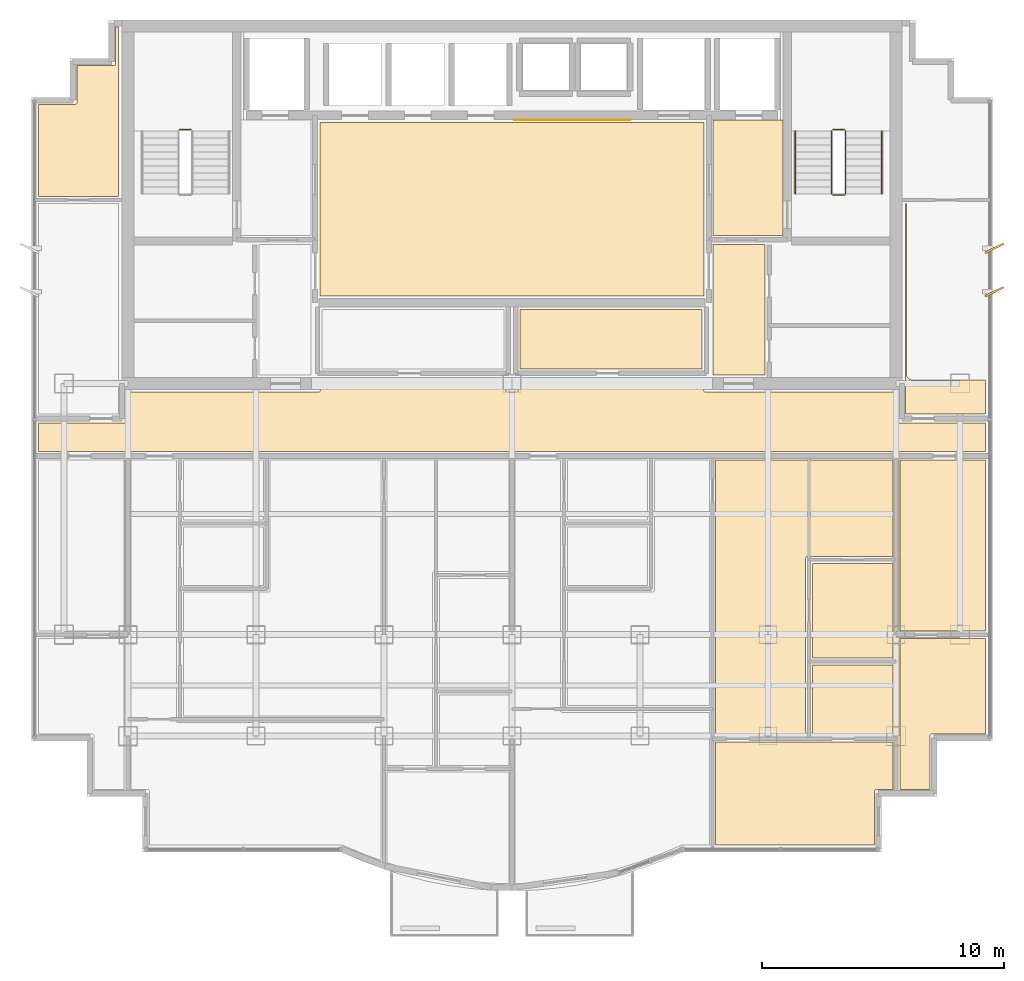
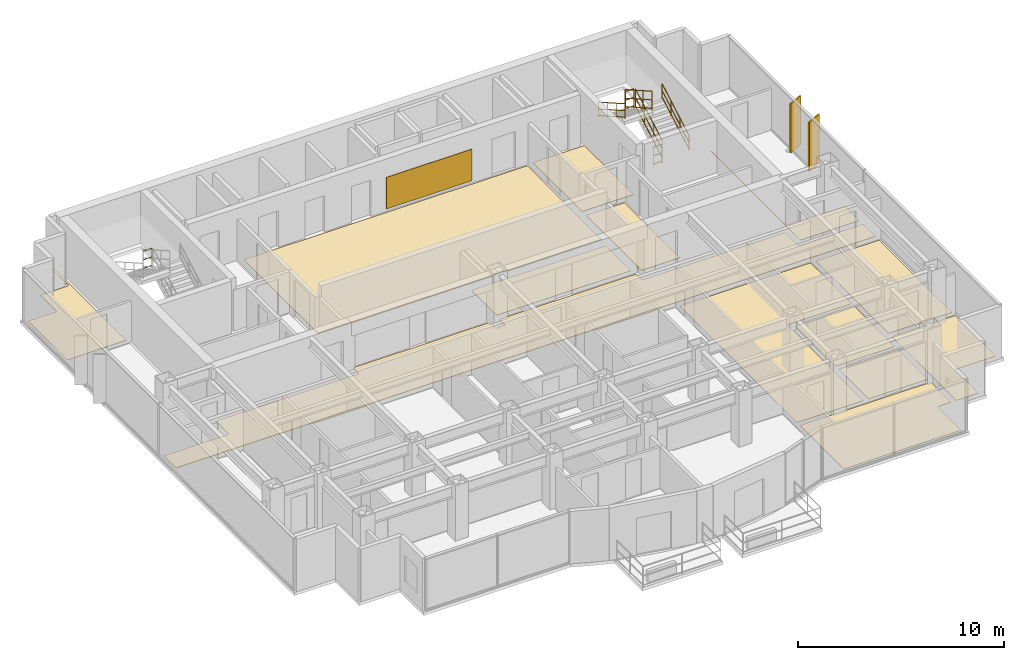
# One storey, part 12 of 12: 14 coverings, 7 railings, 2 shading devices.
"""IFC4 building model written with IfcOpenShell, lengths in metres."""

import ifcopenshell
import ifcopenshell.guid

model = None  # the IFC model being written
_history = None  # IfcOwnerHistory: only IFC2X3 demands one
_inside = {}  # id of a spatial element -> (the spatial element, [elements in it])
_under = {}  # id of a project, library or spatial element -> (it, [spatial elements below it])
_declared = {}  # id of a project -> (the project, [libraries it declares])
_typed = {}  # id of a type object -> (the type object, [elements of that type])
_made_of = {}  # id of a material, layer set ... -> (it, [elements and type objects made of it])


def new_model(schema):
    """Start an empty IFC model of exactly this schema.

    Asked for "IFC4X3", IfcOpenShell would pick the latest addendum, in which some entities
    have other attributes; the version numbers below select the first issue.
    IFC2X3 requires an IfcOwnerHistory on every rooted entity: one is made here for all.
    """
    global model, _history
    if schema == "IFC4X3":
        model = ifcopenshell.file(schema_version=(4, 3, 0, 0))
    else:
        model = ifcopenshell.file(schema=schema)
    _inside.clear()
    _under.clear()
    _declared.clear()
    _typed.clear()
    _made_of.clear()
    _history = None
    if model.schema == "IFC2X3":
        org = make("IfcOrganization", Name="unknown")
        user = make(
            "IfcPersonAndOrganization",
            ThePerson=make("IfcPerson", FamilyName="unknown"),
            TheOrganization=org,
        )
        app = make(
            "IfcApplication",
            ApplicationDeveloper=org,
            Version="unknown",
            ApplicationFullName="unknown",
            ApplicationIdentifier="unknown",
        )
        _history = make(
            "IfcOwnerHistory",
            OwningUser=user,
            OwningApplication=app,
            ChangeAction="ADDED",
            CreationDate=0,
        )
    return model


def make(cls, **values):
    """One entity of the class cls with the attributes given. An attribute that is None is left unset."""
    return model.create_entity(
        cls, **{name: value for name, value in values.items() if value is not None}
    )


def rooted(cls, **values):
    """An entity with a GlobalId (a new one), such as an element, a storey or a relation."""
    return make(cls, GlobalId=ifcopenshell.guid.new(), OwnerHistory=_history, **values)


def si_unit(unit_type, name, prefix=None):
    """IfcSIUnit, for example si_unit("LENGTHUNIT", "METRE", prefix="MILLI")."""
    return make("IfcSIUnit", UnitType=unit_type, Prefix=prefix, Name=name)


def assignment(units):
    """IfcUnitAssignment: the units of a project."""
    return None if units is None else make("IfcUnitAssignment", Units=units)


def point(xyz):
    """IfcCartesianPoint."""
    return None if xyz is None else make("IfcCartesianPoint", Coordinates=xyz)


def direction(xyz):
    """IfcDirection."""
    return None if xyz is None else make("IfcDirection", DirectionRatios=xyz)


def frame(location, z_axis=None, x_axis=None):
    """IfcAxis2Placement3D, a coordinate frame: its origin and axes. An axis left out is left unset."""
    return make(
        "IfcAxis2Placement3D",
        Location=point(location),
        Axis=direction(z_axis),
        RefDirection=direction(x_axis),
    )


def frame_2d(location, x_axis=None):
    """IfcAxis2Placement2D, a coordinate frame in the plane: its origin and x axis."""
    return make(
        "IfcAxis2Placement2D", Location=point(location), RefDirection=direction(x_axis)
    )


def origin():
    """The frame at (0, 0, 0) with its axes left unset."""
    return frame((0.0, 0.0, 0.0))


def origin_2d():
    """The frame at (0, 0) in the plane with its x axis left unset."""
    return frame_2d((0.0, 0.0))


def place(relative_to, where):
    """IfcLocalPlacement: puts the frame where relative to a parent placement (None: the world)."""
    return make(
        "IfcLocalPlacement", PlacementRelTo=relative_to, RelativePlacement=where
    )


def context(
    kind, dimensions, precision=None, world=None, true_north=None, identifier=None
):
    """IfcGeometricRepresentationContext, for example the 3D "Model" context."""
    return make(
        "IfcGeometricRepresentationContext",
        ContextIdentifier=identifier,
        ContextType=kind,
        CoordinateSpaceDimension=dimensions,
        Precision=precision,
        WorldCoordinateSystem=world,
        TrueNorth=true_north,
    )


def subcontext(parent, identifier, kind, view, scale=None):
    """IfcGeometricRepresentationSubContext, for example "Body" below "Model"."""
    return make(
        "IfcGeometricRepresentationSubContext",
        ContextIdentifier=identifier,
        ContextType=kind,
        ParentContext=parent,
        TargetScale=scale,
        TargetView=view,
    )


def project(units=None, contexts=None):
    """IfcProject with its units and contexts."""
    return rooted(
        "IfcProject",
        Name="project",
        RepresentationContexts=contexts,
        UnitsInContext=assignment(units),
    )


def spatial(cls, under=None, at=None, **own):
    """A site, building, storey or space (cls), placed at a placement, below another one or the project."""
    s = rooted(cls, ObjectPlacement=at, **own)
    if under is not None:
        _under.setdefault(under.id(), (under, []))[1].append(s)
    return s


def polyline(points):
    """IfcPolyline through the points."""
    return make("IfcPolyline", Points=[point(p) for p in points])


def profile(cls, at=None, kind="AREA", **sizes):
    """A parametric profile (cls). Its sizes go by their IFC names, for example OverallWidth=200.0."""
    return make(cls, ProfileType=kind, Position=at, **sizes)


def rectangle(**sizes):
    """IfcRectangleProfileDef."""
    return profile("IfcRectangleProfileDef", **sizes)


def circle(**sizes):
    """IfcCircleProfileDef."""
    return profile("IfcCircleProfileDef", **sizes)


def outline(outer, holes=None, kind="AREA"):
    """IfcArbitraryClosedProfileDef: a profile drawn as a closed curve; with holes, ...WithVoids."""
    if holes is None:
        return make("IfcArbitraryClosedProfileDef", ProfileType=kind, OuterCurve=outer)
    return make(
        "IfcArbitraryProfileDefWithVoids",
        ProfileType=kind,
        OuterCurve=outer,
        InnerCurves=holes,
    )


def extrude(swept, where, along, depth):
    """IfcExtrudedAreaSolid: the profile swept, set in the frame where, extruded along a direction by depth."""
    return make(
        "IfcExtrudedAreaSolid",
        SweptArea=swept,
        Position=where,
        ExtrudedDirection=direction(along),
        Depth=depth,
    )


def shape(context_of_items, identifier, shape_type, items):
    """IfcShapeRepresentation: the items that make up one representation, for example the "Body"."""
    return make(
        "IfcShapeRepresentation",
        ContextOfItems=context_of_items,
        RepresentationIdentifier=identifier,
        RepresentationType=shape_type,
        Items=items,
    )


def source(mapping_origin, context_of_items, identifier, shape_type, items):
    """IfcRepresentationMap: a shape defined once, which mapped items show again and again."""
    return make(
        "IfcRepresentationMap",
        MappingOrigin=mapping_origin,
        MappedRepresentation=shape(context_of_items, identifier, shape_type, items),
    )


def transform(
    local_origin,
    x_axis=None,
    y_axis=None,
    z_axis=None,
    scale=None,
    scale2=None,
    scale3=None,
    uniform=True,
):
    """IfcCartesianTransformationOperator3D, or its non-uniform kind. x_axis, y_axis, z_axis: its Axis1, 2, 3."""
    if uniform:
        return make(
            "IfcCartesianTransformationOperator3D",
            Axis1=direction(x_axis),
            Axis2=direction(y_axis),
            LocalOrigin=point(local_origin),
            Scale=scale,
            Axis3=direction(z_axis),
        )
    return make(
        "IfcCartesianTransformationOperator3DnonUniform",
        Axis1=direction(x_axis),
        Axis2=direction(y_axis),
        LocalOrigin=point(local_origin),
        Scale=scale,
        Axis3=direction(z_axis),
        Scale2=scale2,
        Scale3=scale3,
    )


def mapped(mapping_source, mapping_target):
    """IfcMappedItem: shows the shape of a source again, moved by a transform."""
    return make(
        "IfcMappedItem", MappingSource=mapping_source, MappingTarget=mapping_target
    )


def material(Name=None, Category=None):
    """IfcMaterial."""
    return make("IfcMaterial", Name=Name, Category=Category)


def layer(
    of_material, thickness, ventilated=None, Name=None, Category=None, Priority=None
):
    """IfcMaterialLayer: one layer of a wall or slab, of a material (None: an air gap)."""
    return make(
        "IfcMaterialLayer",
        Material=of_material,
        LayerThickness=thickness,
        IsVentilated=ventilated,
        Name=Name,
        Category=Category,
        Priority=Priority,
    )


def layer_set(layers, Name=None):
    """IfcMaterialLayerSet."""
    return make("IfcMaterialLayerSet", MaterialLayers=layers, LayerSetName=Name)


def made_of(thing, what):
    """Note that an element or type object is made of a material, layer set ...; save() writes the relation."""
    if what is not None:
        _made_of.setdefault(what.id(), (what, []))[1].append(thing)
    return thing


def type_object(cls, material=None, **own):
    """A type object (cls), such as IfcWallType, which elements share."""
    return made_of(rooted(cls, **own), material)


def element(
    cls,
    number,
    at=None,
    inside=None,
    cuts=None,
    type_object=None,
    material=None,
    context=None,
    identifier="Body",
    shape_type=None,
    held_by="IfcProductDefinitionShape",
    body=None,
    shapes=None,
    **own,
):
    """One element of the class cls, such as IfcWall. Its Tag is "e" and its number.

    at: its placement. inside: the storey or other place that contains it. cuts: it is an
    opening in that element (IfcRelVoidsElement). A single representation is given by context,
    identifier, shape_type and body (its items); several are given by shapes. held_by: the class
    of the entity that holds the representations. save() writes the other relations.
    """
    e = rooted(cls, Tag="e%d" % number, ObjectPlacement=at, **own)
    if body is not None:
        shapes = [shape(context, identifier, shape_type, body)]
    if shapes is not None:
        e.Representation = make(held_by, Representations=shapes)
    if inside is not None:
        _inside.setdefault(inside.id(), (inside, []))[1].append(e)
    if cuts is not None:
        rooted(
            "IfcRelVoidsElement", RelatingBuildingElement=cuts, RelatedOpeningElement=e
        )
    if type_object is not None:
        _typed.setdefault(type_object.id(), (type_object, []))[1].append(e)
    return made_of(e, material)


def aggregate(whole, parts):
    """IfcRelAggregates: a whole, such as a stair, and the parts it consists of."""
    return rooted("IfcRelAggregates", RelatingObject=whole, RelatedObjects=parts)


def save(model, path):
    """Write the relations noted so far, then the file.

    IfcRelAggregates (storeys below a building ...), IfcRelContainedInSpatialStructure (elements
    in a storey), IfcRelDefinesByType, IfcRelAssociatesMaterial and IfcRelDeclares: one each for
    every whole, place, type object, material and project.
    """
    for whole, parts in _under.values():
        aggregate(whole, parts)
    for where, things in _inside.values():
        rooted(
            "IfcRelContainedInSpatialStructure",
            RelatedElements=things,
            RelatingStructure=where,
        )
    for kind, things in _typed.values():
        rooted("IfcRelDefinesByType", RelatedObjects=things, RelatingType=kind)
    for what, things in _made_of.values():
        rooted("IfcRelAssociatesMaterial", RelatedObjects=things, RelatingMaterial=what)
    for by, libraries in _declared.values():
        rooted("IfcRelDeclares", RelatingContext=by, RelatedDefinitions=libraries)
    model.write(path)


model = new_model("IFC4")

# Units and contexts
model_context = context("Model", 3, precision=1e-05, world=origin(), true_north=direction((0.0, 1.0)))
body_context = subcontext(model_context, "Body", "Model", "MODEL_VIEW")
ifc_project = project(units=[si_unit("LENGTHUNIT", "METRE"), si_unit("AREAUNIT", "SQUARE_METRE"), si_unit("VOLUMEUNIT", "CUBIC_METRE"), si_unit("PLANEANGLEUNIT", "RADIAN"), si_unit("MASSUNIT", "GRAM", prefix="KILO")], contexts=[model_context])

# Site, building, storey
site_placement = place(None, origin())
site = spatial("IfcSite", under=ifc_project, at=site_placement, CompositionType="ELEMENT")
building_placement = place(site_placement, origin())
building = spatial("IfcBuilding", under=site, at=building_placement, Name="Qianlan Lanfeng Residences", CompositionType="ELEMENT")
storey_placement = place(building_placement, frame((0.0, 0.0, 219.800048828125)))
storey = spatial("IfcBuildingStorey", under=building, at=storey_placement, Name="L60", CompositionType="ELEMENT", Elevation=219.800048828125)

# Coverings
ifc_material_1 = material(Name="Anodised Bronze Feature Wall Cladding")
ifc_layer_1 = layer(ifc_material_1, 0.02490234375)
ifc_layer_set_1 = layer_set([ifc_layer_1], Name="Anodised Bronze Feature Wall Cladding")
covering_type_1 = type_object("IfcCoveringType", Name="CLD-BRZ-25", PredefinedType="CLADDING", material=ifc_layer_set_1)
covering_1_placement = place(storey_placement, frame((0.0, 0.0, 0.14990234375)))
element("IfcCovering", 1, at=covering_1_placement, inside=storey, type_object=covering_type_1, Name="L60 Lift Lobby Bronze Feature Cladding", PredefinedType="CLADDING", context=body_context, shape_type="SweptSolid", body=[
    extrude(outline(polyline([(26.60009765625, 36.10009765625), (31.39990234375, 36.10009765625), (31.39990234375, 36.125), (26.60009765625, 36.125), (26.60009765625, 36.10009765625)])), origin(), (0.0, 0.0, 1.0), 1.880126953125),
])
ifc_material_2 = material(Name="Honed Taitung Granite Stone Flooring", Category="masonry")
ifc_layer_2 = layer(ifc_material_2, 0.030029296875)
ifc_layer_set_2 = layer_set([ifc_layer_2], Name="Honed Taitung Granite Stone Flooring")
covering_type_2 = type_object("IfcCoveringType", Name="FLR-STN-30", PredefinedType="FLOORING", material=ifc_layer_set_2)
covering_2_placement = place(storey_placement, origin())
element("IfcCovering", 2, at=covering_2_placement, inside=storey, type_object=covering_type_2, Name="L60 Firefighting Lift Lobby Floor Finish", PredefinedType="FLOORING", context=body_context, shape_type="SweptSolid", body=[
    extrude(outline(polyline([(34.820068359375, 31.320068359375), (37.7099609375, 31.320068359375), (37.7099609375, 36.110107421875), (34.820068359375, 36.110107421875), (34.820068359375, 31.320068359375)])), origin(), (0.0, 0.0, 1.0), 0.030029296875),
])
covering_3_placement = place(storey_placement, origin())
element("IfcCovering", 3, at=covering_3_placement, inside=storey, type_object=covering_type_2, Name="L60 Lift Lobby Floor Finish", PredefinedType="FLOORING", context=body_context, shape_type="SweptSolid", body=[
    extrude(outline(polyline([(18.550048828125, 28.820068359375), (34.449951171875, 28.820068359375), (34.449951171875, 36.010009765625), (18.550048828125, 36.010009765625), (18.550048828125, 28.820068359375)])), origin(), (0.0, 0.0, 1.0), 0.030029296875),
])
covering_4_placement = place(storey_placement, origin())
element("IfcCovering", 4, at=covering_4_placement, inside=storey, type_object=covering_type_2, Name="L60 Residential Corridor Floor Finish", PredefinedType="FLOORING", context=body_context, shape_type="SweptSolid", body=[
    extrude(outline(polyline([(6.889892578125, 22.3798828125), (46.110107421875, 22.3798828125), (46.110107421875, 23.570068359375), (42.5400390625, 23.570068359375), (42.532958984375, 23.570068359375), (42.52587890625, 23.571044921875), (42.52001953125, 23.572998046875), (42.512939453125, 23.574951171875), (42.507080078125, 23.577880859375), (42.5009765625, 23.58203125), (42.49609375, 23.5859375), (42.490966796875, 23.591064453125), (42.486083984375, 23.595947265625), (42.48193359375, 23.60107421875), (42.47802734375, 23.60693359375), (42.47509765625, 23.613037109375), (42.472900390625, 23.6201171875), (42.470947265625, 23.6259765625), (42.469970703125, 23.633056640625), (42.469970703125, 23.639892578125), (42.469970703125, 24.85009765625), (34.5, 24.85009765625), (34.492919921875, 24.85009765625), (34.486083984375, 24.85107421875), (34.47998046875, 24.85302734375), (34.472900390625, 24.85498046875), (34.467041015625, 24.85791015625), (34.4609375, 24.862060546875), (34.4560546875, 24.865966796875), (34.450927734375, 24.87109375), (34.446044921875, 24.8759765625), (34.44189453125, 24.881103515625), (34.43798828125, 24.886962890625), (34.43505859375, 24.89306640625), (34.43310546875, 24.89990234375), (34.430908203125, 24.906005859375), (34.429931640625, 24.9130859375), (34.429931640625, 24.919921875), (34.429931640625, 25.429931640625), (26.77001953125, 25.429931640625), (26.77001953125, 24.919921875), (26.77001953125, 24.9130859375), (26.76904296875, 24.906005859375), (26.76708984375, 24.89990234375), (26.764892578125, 24.89306640625), (26.761962890625, 24.886962890625), (26.758056640625, 24.881103515625), (26.75390625, 24.8759765625), (26.7490234375, 24.87109375), (26.743896484375, 24.865966796875), (26.739013671875, 24.862060546875), (26.73291015625, 24.85791015625), (26.72705078125, 24.85498046875), (26.719970703125, 24.85302734375), (26.714111328125, 24.85107421875), (26.70703125, 24.85009765625), (26.699951171875, 24.85009765625), (26.300048828125, 24.85009765625), (26.29296875, 24.85009765625), (26.285888671875, 24.85107421875), (26.280029296875, 24.85302734375), (26.27294921875, 24.85498046875), (26.26708984375, 24.85791015625), (26.260986328125, 24.862060546875), (26.256103515625, 24.865966796875), (26.2509765625, 24.87109375), (26.24609375, 24.8759765625), (26.241943359375, 24.881103515625), (26.238037109375, 24.886962890625), (26.235107421875, 24.89306640625), (26.23291015625, 24.89990234375), (26.23095703125, 24.906005859375), (26.22998046875, 24.9130859375), (26.22998046875, 24.919921875), (26.22998046875, 25.429931640625), (18.570068359375, 25.429931640625), (18.570068359375, 24.919921875), (18.570068359375, 24.9130859375), (18.569091796875, 24.906005859375), (18.56689453125, 24.89990234375), (18.56494140625, 24.89306640625), (18.56201171875, 24.886962890625), (18.55810546875, 24.881103515625), (18.553955078125, 24.8759765625), (18.549072265625, 24.87109375), (18.5439453125, 24.865966796875), (18.5390625, 24.862060546875), (18.532958984375, 24.85791015625), (18.527099609375, 24.85498046875), (18.52001953125, 24.85302734375), (18.513916015625, 24.85107421875), (18.507080078125, 24.85009765625), (18.5, 24.85009765625), (10.530029296875, 24.85009765625), (10.530029296875, 23.639892578125), (10.530029296875, 23.633056640625), (10.529052734375, 23.6259765625), (10.527099609375, 23.6201171875), (10.52490234375, 23.613037109375), (10.52197265625, 23.60693359375), (10.51806640625, 23.60107421875), (10.513916015625, 23.595947265625), (10.509033203125, 23.591064453125), (10.50390625, 23.5859375), (10.4990234375, 23.58203125), (10.492919921875, 23.577880859375), (10.487060546875, 23.574951171875), (10.47998046875, 23.572998046875), (10.47412109375, 23.571044921875), (10.467041015625, 23.570068359375), (10.4599609375, 23.570068359375), (6.889892578125, 23.570068359375), (6.889892578125, 22.3798828125)])), origin(), (0.0, 0.0, 1.0), 0.030029296875),
])
covering_5_placement = place(storey_placement, origin())
element("IfcCovering", 5, at=covering_5_placement, inside=storey, type_object=covering_type_2, Name="L60 Lift Lobby Floor Finish", PredefinedType="FLOORING", context=body_context, shape_type="SweptSolid", body=[
    extrude(outline(polyline([(34.830078125, 25.56005859375), (36.969970703125, 25.56005859375), (36.969970703125, 30.949951171875), (34.830078125, 30.949951171875), (34.830078125, 25.56005859375)])), origin(), (0.0, 0.0, 1.0), 0.030029296875),
])
ifc_material_3 = material(Name="Slip-Resistant Porcelain Tile Flooring")
ifc_layer_3 = layer(ifc_material_3, 0.02001953125)
ifc_layer_set_3 = layer_set([ifc_layer_3], Name="Slip-Resistant Porcelain Tile Flooring")
covering_type_3 = type_object("IfcCoveringType", Name="FLR-TIL-20", PredefinedType="FLOORING", material=ifc_layer_set_3)
covering_6_placement = place(storey_placement, origin())
element("IfcCovering", 6, at=covering_6_placement, inside=storey, type_object=covering_type_3, Name="L60 En-Suite Bathroom Floor Finish", PredefinedType="FLOORING", context=body_context, shape_type="SweptSolid", body=[
    extrude(outline(polyline([(38.93994140625, 10.634033203125), (42.27001953125, 10.634033203125), (42.27001953125, 13.553955078125), (38.93994140625, 13.553955078125), (38.93994140625, 10.634033203125)])), origin(), (0.0, 0.0, 1.0), 0.02001953125),
])
ifc_material_4 = material(Name="Engineered Smoked Oak Timber Flooring", Category="wood")
ifc_layer_4 = layer(ifc_material_4, 0.02197265625)
ifc_layer_set_4 = layer_set([ifc_layer_4], Name="Engineered Smoked Oak Timber Flooring")
covering_type_4 = type_object("IfcCoveringType", Name="FLR-TIM-22", PredefinedType="FLOORING", material=ifc_layer_set_4)
covering_7_placement = place(storey_placement, origin())
element("IfcCovering", 7, at=covering_7_placement, inside=storey, type_object=covering_type_4, Name="L60 Harbour Viewing Lounge Floor Finish", PredefinedType="FLOORING", context=body_context, shape_type="SweptSolid", body=[
    extrude(outline(polyline([(26.830078125, 25.800048828125), (34.3701171875, 25.800048828125), (34.3701171875, 28.2548828125), (26.830078125, 28.2548828125), (26.830078125, 25.800048828125)])), origin(), (0.0, 0.0, 1.0), 0.02197265625),
])
covering_8_placement = place(storey_placement, origin())
element("IfcCovering", 8, at=covering_8_placement, inside=storey, type_object=covering_type_4, Name="L60 Private Study Floor Finish", PredefinedType="FLOORING", context=body_context, shape_type="SweptSolid", body=[
    extrude(outline(polyline([(38.93994140625, 13.833984375), (42.27001953125, 13.833984375), (42.27001953125, 17.757080078125), (38.93994140625, 17.757080078125), (38.93994140625, 13.833984375)])), origin(), (0.0, 0.0, 1.0), 0.02197265625),
])
covering_9_placement = place(storey_placement, origin())
element("IfcCovering", 9, at=covering_9_placement, inside=storey, type_object=covering_type_4, Name="L60 Villa Family Sitting Room Floor Finish", PredefinedType="FLOORING", context=body_context, shape_type="SweptSolid", body=[
    extrude(outline(polyline([(34.929931640625, 10.634033203125), (38.659912109375, 10.634033203125), (38.659912109375, 17.967041015625), (38.659912109375, 17.97412109375), (38.660888671875, 17.98095703125), (38.6630859375, 17.987060546875), (38.6650390625, 17.993896484375), (38.66796875, 18.0), (38.672119140625, 18.006103515625), (38.676025390625, 18.010986328125), (38.680908203125, 18.01611328125), (38.68603515625, 18.02099609375), (38.69091796875, 18.02490234375), (38.697021484375, 18.029052734375), (38.702880859375, 18.031982421875), (38.7099609375, 18.033935546875), (38.716064453125, 18.035888671875), (38.722900390625, 18.037109375), (38.72998046875, 18.037109375), (42.27001953125, 18.037109375), (42.27001953125, 22.030029296875), (34.929931640625, 22.030029296875), (34.929931640625, 10.634033203125)])), origin(), (0.0, 0.0, 1.0), 0.02197265625),
])
covering_10_placement = place(storey_placement, origin())
element("IfcCovering", 10, at=covering_10_placement, inside=storey, type_object=covering_type_4, Name="L60 Master Bedroom Floor Finish", PredefinedType="FLOORING", context=body_context, shape_type="SweptSolid", body=[
    extrude(outline(polyline([(34.929931640625, 10.35400390625), (34.929931640625, 6.090087890625), (41.510009765625, 6.090087890625), (41.510009765625, 8.320068359375), (41.510009765625, 8.326904296875), (41.510986328125, 8.333984375), (41.512939453125, 8.340087890625), (41.514892578125, 8.346923828125), (41.51806640625, 8.35302734375), (41.52197265625, 8.35888671875), (41.52587890625, 8.364013671875), (41.531005859375, 8.368896484375), (41.535888671875, 8.3740234375), (41.541015625, 8.3779296875), (41.547119140625, 8.382080078125), (41.552978515625, 8.385009765625), (41.56005859375, 8.386962890625), (41.56591796875, 8.388916015625), (41.572998046875, 8.389892578125), (41.580078125, 8.389892578125), (42.27001953125, 8.389892578125), (42.27001953125, 10.35400390625), (34.929931640625, 10.35400390625)])), origin(), (0.0, 0.0, 1.0), 0.02197265625),
])
covering_11_placement = place(storey_placement, origin())
element("IfcCovering", 11, at=covering_11_placement, inside=storey, type_object=covering_type_4, Name="L60 Sunroom Floor Finish", PredefinedType="FLOORING", context=body_context, shape_type="SweptSolid", body=[
    extrude(outline(polyline([(46.110107421875, 14.64990234375), (42.56005859375, 14.64990234375), (42.56005859375, 8.389892578125), (43.81005859375, 8.389892578125), (43.81005859375, 10.6201171875), (43.81005859375, 10.626953125), (43.81103515625, 10.634033203125), (43.81298828125, 10.639892578125), (43.81494140625, 10.64697265625), (43.818115234375, 10.653076171875), (43.822021484375, 10.658935546875), (43.825927734375, 10.6640625), (43.8310546875, 10.6689453125), (43.8359375, 10.674072265625), (43.841064453125, 10.677978515625), (43.846923828125, 10.681884765625), (43.85302734375, 10.68505859375), (43.860107421875, 10.68701171875), (43.865966796875, 10.68896484375), (43.873046875, 10.68994140625), (43.8798828125, 10.68994140625), (46.110107421875, 10.68994140625), (46.110107421875, 14.64990234375)])), origin(), (0.0, 0.0, 1.0), 0.02197265625),
])
covering_12_placement = place(storey_placement, origin())
element("IfcCovering", 12, at=covering_12_placement, inside=storey, type_object=covering_type_4, Name="L60 Private Study Floor Finish", PredefinedType="FLOORING", context=body_context, shape_type="SweptSolid", body=[
    extrude(outline(polyline([(46.110107421875, 22.030029296875), (42.56005859375, 22.030029296875), (42.56005859375, 14.949951171875), (46.110107421875, 14.949951171875), (46.110107421875, 22.030029296875)])), origin(), (0.0, 0.0, 1.0), 0.02197265625),
])
covering_13_placement = place(storey_placement, origin())
element("IfcCovering", 13, at=covering_13_placement, inside=storey, type_object=covering_type_4, Name="L60 Resident Lounge Floor Finish", PredefinedType="FLOORING", context=body_context, shape_type="SweptSolid", body=[
    extrude(outline(polyline([(6.889892578125, 32.949951171875), (10.199951171875, 32.949951171875), (10.199951171875, 39.9599609375), (10.090087890625, 39.9599609375), (10.090087890625, 38.429931640625), (10.090087890625, 38.423095703125), (10.089111328125, 38.416015625), (10.0869140625, 38.409912109375), (10.0849609375, 38.403076171875), (10.08203125, 38.39697265625), (10.077880859375, 38.39111328125), (10.073974609375, 38.385986328125), (10.069091796875, 38.381103515625), (10.06396484375, 38.3759765625), (10.05908203125, 38.3720703125), (10.052978515625, 38.367919921875), (10.047119140625, 38.364990234375), (10.0400390625, 38.363037109375), (10.033935546875, 38.361083984375), (10.027099609375, 38.360107421875), (10.02001953125, 38.360107421875), (8.489990234375, 38.360107421875), (8.489990234375, 36.830078125), (8.489990234375, 36.822998046875), (8.489013671875, 36.81591796875), (8.487060546875, 36.81005859375), (8.485107421875, 36.802978515625), (8.48193359375, 36.797119140625), (8.47802734375, 36.791015625), (8.47412109375, 36.785888671875), (8.468994140625, 36.781005859375), (8.464111328125, 36.77587890625), (8.458984375, 36.77197265625), (8.452880859375, 36.76806640625), (8.447021484375, 36.764892578125), (8.43994140625, 36.762939453125), (8.43408203125, 36.760986328125), (8.427001953125, 36.760009765625), (8.419921875, 36.760009765625), (6.889892578125, 36.760009765625), (6.889892578125, 32.949951171875)])), origin(), (0.0, 0.0, 1.0), 0.02197265625),
])
covering_14_placement = place(storey_placement, origin())
element("IfcCovering", 14, at=covering_14_placement, inside=storey, type_object=covering_type_4, Name="L60 Tea Salon Floor Finish", PredefinedType="FLOORING", context=body_context, shape_type="SweptSolid", body=[
    extrude(outline(polyline([(46.110107421875, 25.35009765625), (43.080078125, 25.35009765625), (43.054931640625, 25.35107421875), (43.031005859375, 25.35498046875), (43.007080078125, 25.361083984375), (42.98388671875, 25.368896484375), (42.9619140625, 25.3798828125), (42.94091796875, 25.39208984375), (42.9208984375, 25.406982421875), (42.903076171875, 25.423095703125), (42.886962890625, 25.44091796875), (42.8720703125, 25.4609375), (42.860107421875, 25.48193359375), (42.84912109375, 25.50390625), (42.841064453125, 25.527099609375), (42.8349609375, 25.551025390625), (42.8310546875, 25.574951171875), (42.830078125, 25.60009765625), (42.830078125, 32.64990234375), (42.800048828125, 32.64990234375), (42.800048828125, 23.929931640625), (46.110107421875, 23.929931640625), (46.110107421875, 25.35009765625)])), origin(), (0.0, 0.0, 1.0), 0.02197265625),
])

# Railings
ifc_material_5 = material(Name="Painted Galvanised Steel Guardrail", Category="steel")
railing_type_1 = type_object("IfcRailingType", Name="GR-ST-1120", PredefinedType="GUARDRAIL", material=ifc_material_5)
railing_1_placement = place(storey_placement, frame((13.219970703125, 35.7099609375, 1.64990234375)))
element("IfcRailing", 15, at=railing_1_placement, inside=storey, type_object=railing_type_1, Name="L60 ST-1 stair guard 2", PredefinedType="GUARDRAIL", context=body_context, shape_type="SweptSolid", body=[
    extrude(circle(Radius=0.02392578125, at=origin_2d()), frame((0.0, 0.0, 0.083984375), z_axis=(-1.0, 0.0, 0.0), x_axis=(0.0, -1.0, 0.0)), (0.0, 0.0, 1.0), 0.47998046875),
    extrude(circle(Radius=0.02392578125, at=origin_2d()), frame((0.0, 0.0, 0.58251953125), z_axis=(-1.0, 0.0, 0.0), x_axis=(0.0, -1.0, 0.0)), (0.0, 0.0, 1.0), 0.47998046875),
    extrude(circle(Radius=0.02392578125, at=origin_2d()), frame((0.0, 0.0, 1.09619140625), z_axis=(-1.0, 0.0, 0.0), x_axis=(0.0, -1.0, 0.0)), (0.0, 0.0, 1.0), 0.47998046875),
    extrude(circle(Radius=0.02099609375, at=origin_2d()), origin(), (0.0, 0.0, 1.0), 1.072021484375),
    extrude(circle(Radius=0.02099609375, at=origin_2d()), frame((-0.47998046875, 0.0, 0.0)), (0.0, 0.0, 1.0), 1.072021484375),
])
railing_2_placement = place(storey_placement, frame((40.31005859375, 33.050048828125, 0.1650390625)))
element("IfcRailing", 16, at=railing_2_placement, inside=storey, type_object=railing_type_1, Name="L60 ST-2 stair guard 1", PredefinedType="GUARDRAIL", context=body_context, shape_type="SweptSolid", body=[
    extrude(circle(Radius=0.02392578125, at=origin_2d()), frame((0.0, 0.0, 0.083984375), z_axis=(0.0, 0.869172267526, 0.494509422927), x_axis=(-1.0, 0.0, 0.0)), (0.0, 0.0, 1.0), 3.002685546875),
    extrude(circle(Radius=0.02392578125, at=origin_2d()), frame((0.0, 0.0, 0.58251953125), z_axis=(0.0, 0.869172267526, 0.494509422927), x_axis=(-1.0, 0.0, 0.0)), (0.0, 0.0, 1.0), 3.002685546875),
    extrude(circle(Radius=0.02392578125, at=origin_2d()), frame((0.0, 0.0, 1.09619140625), z_axis=(0.0, 0.869172267526, 0.494509422927), x_axis=(-1.0, 0.0, 0.0)), (0.0, 0.0, 1.0), 3.002685546875),
    extrude(circle(Radius=0.02099609375, at=origin_2d()), origin(), (0.0, 0.0, 1.0), 1.072021484375),
    extrude(circle(Radius=0.02099609375, at=origin_2d()), frame((0.0, 0.869873046875, 0.494873046875)), (0.0, 0.0, 1.0), 1.072021484375),
    extrude(circle(Radius=0.02099609375, at=origin_2d()), frame((0.0, 1.739990234375, 0.989990234375)), (0.0, 0.0, 1.0), 1.072021484375),
    extrude(circle(Radius=0.02099609375, at=origin_2d()), frame((0.0, 2.60986328125, 1.48486328125)), (0.0, 0.0, 1.0), 1.072021484375),
])
railing_3_placement = place(storey_placement, frame((40.260009765625, 35.7099609375, 1.64990234375)))
element("IfcRailing", 17, at=railing_3_placement, inside=storey, type_object=railing_type_1, Name="L60 ST-2 stair guard 2", PredefinedType="GUARDRAIL", context=body_context, shape_type="SweptSolid", body=[
    extrude(circle(Radius=0.02392578125, at=origin_2d()), frame((0.0, 0.0, 0.083984375), z_axis=(-1.0, 0.0, 0.0), x_axis=(0.0, -1.0, 0.0)), (0.0, 0.0, 1.0), 0.47998046875),
    extrude(circle(Radius=0.02392578125, at=origin_2d()), frame((0.0, 0.0, 0.58251953125), z_axis=(-1.0, 0.0, 0.0), x_axis=(0.0, -1.0, 0.0)), (0.0, 0.0, 1.0), 0.47998046875),
    extrude(circle(Radius=0.02392578125, at=origin_2d()), frame((0.0, 0.0, 1.09619140625), z_axis=(-1.0, 0.0, 0.0), x_axis=(0.0, -1.0, 0.0)), (0.0, 0.0, 1.0), 0.47998046875),
    extrude(circle(Radius=0.02099609375, at=origin_2d()), origin(), (0.0, 0.0, 1.0), 1.072021484375),
    extrude(circle(Radius=0.02099609375, at=origin_2d()), frame((-0.47998046875, 0.0, 0.0)), (0.0, 0.0, 1.0), 1.072021484375),
])
railing_4_placement = place(storey_placement, frame((39.72998046875, 35.659912109375, 1.81494140625)))
element("IfcRailing", 18, at=railing_4_placement, inside=storey, type_object=railing_type_1, Name="L60 ST-2 stair guard 3", PredefinedType="GUARDRAIL", context=body_context, shape_type="SweptSolid", body=[
    extrude(circle(Radius=0.02392578125, at=origin_2d()), frame((0.0, 0.0, 0.083984375), z_axis=(0.0, -0.869137319866, 0.494570843475), x_axis=(1.0, 0.0, 0.0)), (0.0, 0.0, 1.0), 3.0029296875),
    extrude(circle(Radius=0.02392578125, at=origin_2d()), frame((0.0, 0.0, 0.58251953125), z_axis=(0.0, -0.869137319866, 0.494570843475), x_axis=(1.0, 0.0, 0.0)), (0.0, 0.0, 1.0), 3.0029296875),
    extrude(circle(Radius=0.02392578125, at=origin_2d()), frame((0.0, 0.0, 1.09619140625), z_axis=(0.0, -0.869137319866, 0.494570843475), x_axis=(1.0, 0.0, 0.0)), (0.0, 0.0, 1.0), 3.0029296875),
    extrude(circle(Radius=0.02099609375, at=origin_2d()), origin(), (0.0, 0.0, 1.0), 1.072021484375),
    extrude(circle(Radius=0.02099609375, at=origin_2d()), frame((0.0, -0.869873046875, 0.4951171875)), (0.0, 0.0, 1.0), 1.072021484375),
    extrude(circle(Radius=0.02099609375, at=origin_2d()), frame((0.0, -1.739990234375, 0.989990234375)), (0.0, 0.0, 1.0), 1.072021484375),
    extrude(circle(Radius=0.02099609375, at=origin_2d()), frame((0.0, -2.60986328125, 1.485107421875)), (0.0, 0.0, 1.0), 1.072021484375),
])
railing_5_placement = place(storey_placement, frame((40.260009765625, 33.0, 0.0)))
element("IfcRailing", 19, at=railing_5_placement, inside=storey, type_object=railing_type_1, Name="L60 ST-2 stair guard 4", PredefinedType="GUARDRAIL", context=body_context, shape_type="SweptSolid", body=[
    extrude(circle(Radius=0.02392578125, at=origin_2d()), frame((0.0, 0.0, 0.083984375), z_axis=(-1.0, 0.0, 0.0), x_axis=(0.0, -1.0, 0.0)), (0.0, 0.0, 1.0), 0.47998046875),
    extrude(circle(Radius=0.02392578125, at=origin_2d()), frame((0.0, 0.0, 0.58251953125), z_axis=(-1.0, 0.0, 0.0), x_axis=(0.0, -1.0, 0.0)), (0.0, 0.0, 1.0), 0.47998046875),
    extrude(circle(Radius=0.02392578125, at=origin_2d()), frame((0.0, 0.0, 1.09619140625), z_axis=(-1.0, 0.0, 0.0), x_axis=(0.0, -1.0, 0.0)), (0.0, 0.0, 1.0), 0.47998046875),
    extrude(circle(Radius=0.02099609375, at=origin_2d()), origin(), (0.0, 0.0, 1.0), 1.072021484375),
    extrude(circle(Radius=0.02099609375, at=origin_2d()), frame((-0.47998046875, 0.0, 0.0)), (0.0, 0.0, 1.0), 1.072021484375),
])
ifc_material_6 = material(Name="Brushed Stainless Steel Handrail", Category="steel")
railing_type_2 = type_object("IfcRailingType", Name="HR-ST-920", PredefinedType="HANDRAIL", material=ifc_material_6)
railing_6_placement = place(storey_placement, frame((41.81005859375, 33.050048828125, 0.1650390625)))
element("IfcRailing", 20, at=railing_6_placement, inside=storey, type_object=railing_type_2, Name="L60 ST-2 stair handrail 1", PredefinedType="HANDRAIL", context=body_context, shape_type="SweptSolid", body=[
    extrude(circle(Radius=0.02392578125, at=origin_2d()), frame((0.0, 0.0, 0.083984375), z_axis=(0.0, 0.869172267526, 0.494509422927), x_axis=(-1.0, 0.0, 0.0)), (0.0, 0.0, 1.0), 3.002685546875),
    extrude(circle(Radius=0.02392578125, at=origin_2d()), frame((0.0, 0.0, 0.468017578125), z_axis=(0.0, 0.869172267526, 0.494509422927), x_axis=(-1.0, 0.0, 0.0)), (0.0, 0.0, 1.0), 3.002685546875),
    extrude(circle(Radius=0.02392578125, at=origin_2d()), frame((0.0, 0.0, 0.8759765625), z_axis=(0.0, 0.869172267526, 0.494509422927), x_axis=(-1.0, 0.0, 0.0)), (0.0, 0.0, 1.0), 3.002685546875),
    extrude(circle(Radius=0.02099609375, at=origin_2d()), origin(), (0.0, 0.0, 1.0), 0.851806640625),
    extrude(circle(Radius=0.02099609375, at=origin_2d()), frame((0.0, 0.869873046875, 0.494873046875)), (0.0, 0.0, 1.0), 0.851806640625),
    extrude(circle(Radius=0.02099609375, at=origin_2d()), frame((0.0, 1.739990234375, 0.989990234375)), (0.0, 0.0, 1.0), 0.851806640625),
    extrude(circle(Radius=0.02099609375, at=origin_2d()), frame((0.0, 2.60986328125, 1.48486328125)), (0.0, 0.0, 1.0), 0.851806640625),
])
railing_7_placement = place(storey_placement, frame((38.22998046875, 35.659912109375, 1.81494140625)))
element("IfcRailing", 21, at=railing_7_placement, inside=storey, type_object=railing_type_2, Name="L60 ST-2 stair handrail 2", PredefinedType="HANDRAIL", context=body_context, shape_type="SweptSolid", body=[
    extrude(circle(Radius=0.02392578125, at=origin_2d()), frame((0.0, 0.0, 0.083984375), z_axis=(0.0, -0.869137319866, 0.494570843475), x_axis=(1.0, 0.0, 0.0)), (0.0, 0.0, 1.0), 3.0029296875),
    extrude(circle(Radius=0.02392578125, at=origin_2d()), frame((0.0, 0.0, 0.468017578125), z_axis=(0.0, -0.869137319866, 0.494570843475), x_axis=(1.0, 0.0, 0.0)), (0.0, 0.0, 1.0), 3.0029296875),
    extrude(circle(Radius=0.02392578125, at=origin_2d()), frame((0.0, 0.0, 0.8759765625), z_axis=(0.0, -0.869137319866, 0.494570843475), x_axis=(1.0, 0.0, 0.0)), (0.0, 0.0, 1.0), 3.0029296875),
    extrude(circle(Radius=0.02099609375, at=origin_2d()), origin(), (0.0, 0.0, 1.0), 0.851806640625),
    extrude(circle(Radius=0.02099609375, at=origin_2d()), frame((0.0, -0.869873046875, 0.4951171875)), (0.0, 0.0, 1.0), 0.851806640625),
    extrude(circle(Radius=0.02099609375, at=origin_2d()), frame((0.0, -1.739990234375, 0.989990234375)), (0.0, 0.0, 1.0), 0.851806640625),
    extrude(circle(Radius=0.02099609375, at=origin_2d()), frame((0.0, -2.60986328125, 1.485107421875)), (0.0, 0.0, 1.0), 0.851806640625),
])

# Shading devices
ifc_material_7 = material(Name="Anodised Bronze Aluminium Solar Fin", Category="aluminium")
shading_device_type = type_object("IfcShadingDeviceType", Name="FIN-BRZ-850", PredefinedType="SHUTTER", material=ifc_material_7)
shared_shape = source(origin(), body_context, "Body", "SweptSolid", [
    extrude(rectangle(XDim=0.85009765625, YDim=0.080078125, at=origin_2d()), origin(), (0.0, 0.0, 1.0), 2.89990234375),
])
for number, where, z_axis, x_axis, name in (
    (22, (46.469970703125, 29.0, 0.0), (0.0, 0.0, 1.0), (0.898794046299, 0.438371146789, 0.0), "L60 Raked Bronze Solar Fin E1"),
    (23, (46.469970703125, 30.800048828125, 0.0), (0.0, 0.0, 1.0), (0.898794046299, 0.438371146789, 0.0), "L60 Raked Bronze Solar Fin E2"),
):
    element("IfcShadingDevice", number, at=place(storey_placement, frame(where, z_axis=z_axis, x_axis=x_axis)), inside=storey, type_object=shading_device_type, Name=name, PredefinedType="SHUTTER", context=body_context, shape_type="MappedRepresentation", body=[
        mapped(shared_shape, transform((0.0, 0.0, 0.0), scale=1.0)),
    ])

save(model, "model.ifc")
